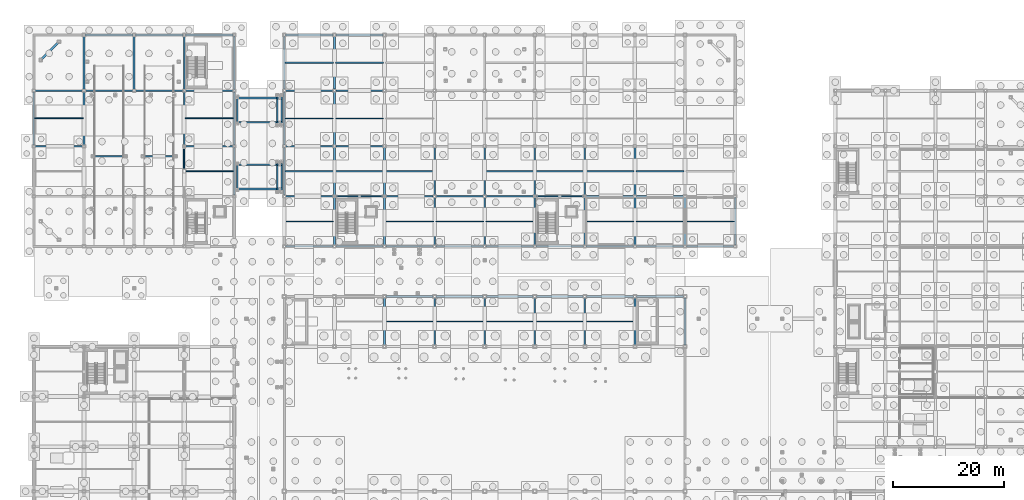
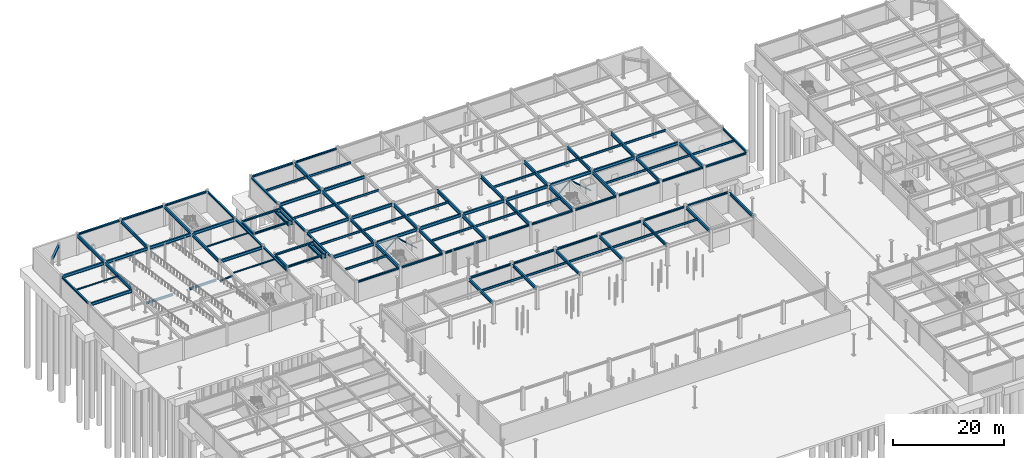
# One storey, part 41 of 74: 118 beams, 5 members.
"""IFC4 building model written with IfcOpenShell, lengths in metres."""

import ifcopenshell
import ifcopenshell.guid

model = None  # the IFC model being written
_history = None  # IfcOwnerHistory: only IFC2X3 demands one
_inside = {}  # id of a spatial element -> (the spatial element, [elements in it])
_under = {}  # id of a project, library or spatial element -> (it, [spatial elements below it])
_declared = {}  # id of a project -> (the project, [libraries it declares])
_typed = {}  # id of a type object -> (the type object, [elements of that type])
_made_of = {}  # id of a material, layer set ... -> (it, [elements and type objects made of it])


def new_model(schema):
    """Start an empty IFC model of exactly this schema.

    Asked for "IFC4X3", IfcOpenShell would pick the latest addendum, in which some entities
    have other attributes; the version numbers below select the first issue.
    IFC2X3 requires an IfcOwnerHistory on every rooted entity: one is made here for all.
    """
    global model, _history
    if schema == "IFC4X3":
        model = ifcopenshell.file(schema_version=(4, 3, 0, 0))
    else:
        model = ifcopenshell.file(schema=schema)
    _inside.clear()
    _under.clear()
    _declared.clear()
    _typed.clear()
    _made_of.clear()
    _history = None
    if model.schema == "IFC2X3":
        org = make("IfcOrganization", Name="unknown")
        user = make(
            "IfcPersonAndOrganization",
            ThePerson=make("IfcPerson", FamilyName="unknown"),
            TheOrganization=org,
        )
        app = make(
            "IfcApplication",
            ApplicationDeveloper=org,
            Version="unknown",
            ApplicationFullName="unknown",
            ApplicationIdentifier="unknown",
        )
        _history = make(
            "IfcOwnerHistory",
            OwningUser=user,
            OwningApplication=app,
            ChangeAction="ADDED",
            CreationDate=0,
        )
    return model


def make(cls, **values):
    """One entity of the class cls with the attributes given. An attribute that is None is left unset."""
    return model.create_entity(
        cls, **{name: value for name, value in values.items() if value is not None}
    )


def rooted(cls, **values):
    """An entity with a GlobalId (a new one), such as an element, a storey or a relation."""
    return make(cls, GlobalId=ifcopenshell.guid.new(), OwnerHistory=_history, **values)


def si_unit(unit_type, name, prefix=None):
    """IfcSIUnit, for example si_unit("LENGTHUNIT", "METRE", prefix="MILLI")."""
    return make("IfcSIUnit", UnitType=unit_type, Prefix=prefix, Name=name)


def assignment(units):
    """IfcUnitAssignment: the units of a project."""
    return None if units is None else make("IfcUnitAssignment", Units=units)


def point(xyz):
    """IfcCartesianPoint."""
    return None if xyz is None else make("IfcCartesianPoint", Coordinates=xyz)


def direction(xyz):
    """IfcDirection."""
    return None if xyz is None else make("IfcDirection", DirectionRatios=xyz)


def frame(location, z_axis=None, x_axis=None):
    """IfcAxis2Placement3D, a coordinate frame: its origin and axes. An axis left out is left unset."""
    return make(
        "IfcAxis2Placement3D",
        Location=point(location),
        Axis=direction(z_axis),
        RefDirection=direction(x_axis),
    )


def frame_2d(location, x_axis=None):
    """IfcAxis2Placement2D, a coordinate frame in the plane: its origin and x axis."""
    return make(
        "IfcAxis2Placement2D", Location=point(location), RefDirection=direction(x_axis)
    )


def origin():
    """The frame at (0, 0, 0) with its axes left unset."""
    return frame((0.0, 0.0, 0.0))


def origin_2d():
    """The frame at (0, 0) in the plane with its x axis left unset."""
    return frame_2d((0.0, 0.0))


def place(relative_to, where):
    """IfcLocalPlacement: puts the frame where relative to a parent placement (None: the world)."""
    return make(
        "IfcLocalPlacement", PlacementRelTo=relative_to, RelativePlacement=where
    )


def context(
    kind, dimensions, precision=None, world=None, true_north=None, identifier=None
):
    """IfcGeometricRepresentationContext, for example the 3D "Model" context."""
    return make(
        "IfcGeometricRepresentationContext",
        ContextIdentifier=identifier,
        ContextType=kind,
        CoordinateSpaceDimension=dimensions,
        Precision=precision,
        WorldCoordinateSystem=world,
        TrueNorth=true_north,
    )


def subcontext(parent, identifier, kind, view, scale=None):
    """IfcGeometricRepresentationSubContext, for example "Body" below "Model"."""
    return make(
        "IfcGeometricRepresentationSubContext",
        ContextIdentifier=identifier,
        ContextType=kind,
        ParentContext=parent,
        TargetScale=scale,
        TargetView=view,
    )


def project(units=None, contexts=None):
    """IfcProject with its units and contexts."""
    return rooted(
        "IfcProject",
        Name="project",
        RepresentationContexts=contexts,
        UnitsInContext=assignment(units),
    )


def spatial(cls, under=None, at=None, **own):
    """A site, building, storey or space (cls), placed at a placement, below another one or the project."""
    s = rooted(cls, ObjectPlacement=at, **own)
    if under is not None:
        _under.setdefault(under.id(), (under, []))[1].append(s)
    return s


def profile(cls, at=None, kind="AREA", **sizes):
    """A parametric profile (cls). Its sizes go by their IFC names, for example OverallWidth=200.0."""
    return make(cls, ProfileType=kind, Position=at, **sizes)


def hollow_circle(**sizes):
    """IfcCircleHollowProfileDef."""
    return profile("IfcCircleHollowProfileDef", **sizes)


def i_section(**sizes):
    """IfcIShapeProfileDef."""
    return profile("IfcIShapeProfileDef", **sizes)


def extrude(swept, where, along, depth):
    """IfcExtrudedAreaSolid: the profile swept, set in the frame where, extruded along a direction by depth."""
    return make(
        "IfcExtrudedAreaSolid",
        SweptArea=swept,
        Position=where,
        ExtrudedDirection=direction(along),
        Depth=depth,
    )


def shape(context_of_items, identifier, shape_type, items):
    """IfcShapeRepresentation: the items that make up one representation, for example the "Body"."""
    return make(
        "IfcShapeRepresentation",
        ContextOfItems=context_of_items,
        RepresentationIdentifier=identifier,
        RepresentationType=shape_type,
        Items=items,
    )


def material(Name=None, Category=None):
    """IfcMaterial."""
    return make("IfcMaterial", Name=Name, Category=Category)


def material_profile(
    of_material, cross_section, Name=None, Category=None, Priority=None
):
    """IfcMaterialProfile: a cross section and its material."""
    return make(
        "IfcMaterialProfile",
        Name=Name,
        Material=of_material,
        Profile=cross_section,
        Priority=Priority,
        Category=Category,
    )


def profile_set(profiles, Name=None, composite=None):
    """IfcMaterialProfileSet."""
    return make(
        "IfcMaterialProfileSet",
        Name=Name,
        MaterialProfiles=profiles,
        CompositeProfile=composite,
    )


def made_of(thing, what):
    """Note that an element or type object is made of a material, layer set ...; save() writes the relation."""
    if what is not None:
        _made_of.setdefault(what.id(), (what, []))[1].append(thing)
    return thing


def type_object(cls, material=None, **own):
    """A type object (cls), such as IfcWallType, which elements share."""
    return made_of(rooted(cls, **own), material)


def element(
    cls,
    number,
    at=None,
    inside=None,
    cuts=None,
    type_object=None,
    material=None,
    context=None,
    identifier="Body",
    shape_type=None,
    held_by="IfcProductDefinitionShape",
    body=None,
    shapes=None,
    **own,
):
    """One element of the class cls, such as IfcWall. Its Tag is "e" and its number.

    at: its placement. inside: the storey or other place that contains it. cuts: it is an
    opening in that element (IfcRelVoidsElement). A single representation is given by context,
    identifier, shape_type and body (its items); several are given by shapes. held_by: the class
    of the entity that holds the representations. save() writes the other relations.
    """
    e = rooted(cls, Tag="e%d" % number, ObjectPlacement=at, **own)
    if body is not None:
        shapes = [shape(context, identifier, shape_type, body)]
    if shapes is not None:
        e.Representation = make(held_by, Representations=shapes)
    if inside is not None:
        _inside.setdefault(inside.id(), (inside, []))[1].append(e)
    if cuts is not None:
        rooted(
            "IfcRelVoidsElement", RelatingBuildingElement=cuts, RelatedOpeningElement=e
        )
    if type_object is not None:
        _typed.setdefault(type_object.id(), (type_object, []))[1].append(e)
    return made_of(e, material)


def aggregate(whole, parts):
    """IfcRelAggregates: a whole, such as a stair, and the parts it consists of."""
    return rooted("IfcRelAggregates", RelatingObject=whole, RelatedObjects=parts)


def save(model, path):
    """Write the relations noted so far, then the file.

    IfcRelAggregates (storeys below a building ...), IfcRelContainedInSpatialStructure (elements
    in a storey), IfcRelDefinesByType, IfcRelAssociatesMaterial and IfcRelDeclares: one each for
    every whole, place, type object, material and project.
    """
    for whole, parts in _under.values():
        aggregate(whole, parts)
    for where, things in _inside.values():
        rooted(
            "IfcRelContainedInSpatialStructure",
            RelatedElements=things,
            RelatingStructure=where,
        )
    for kind, things in _typed.values():
        rooted("IfcRelDefinesByType", RelatedObjects=things, RelatingType=kind)
    for what, things in _made_of.values():
        rooted("IfcRelAssociatesMaterial", RelatedObjects=things, RelatingMaterial=what)
    for by, libraries in _declared.values():
        rooted("IfcRelDeclares", RelatingContext=by, RelatedDefinitions=libraries)
    model.write(path)


model = new_model("IFC4")

# Units and contexts
model_context = context("Model", 3, precision=1e-05, world=origin(), true_north=direction((0.0, 1.0)))
body_context = subcontext(model_context, "Body", "Model", "MODEL_VIEW")
ifc_project = project(units=[si_unit("LENGTHUNIT", "METRE"), si_unit("AREAUNIT", "SQUARE_METRE"), si_unit("VOLUMEUNIT", "CUBIC_METRE"), si_unit("PLANEANGLEUNIT", "RADIAN"), si_unit("MASSUNIT", "GRAM", prefix="KILO")], contexts=[model_context])

# Site, building, storey
site_placement = place(None, origin())
site = spatial("IfcSite", under=ifc_project, at=site_placement, CompositionType="ELEMENT")
building_placement = place(site_placement, origin())
building = spatial("IfcBuilding", under=site, at=building_placement, Name="Suzunagisa Mobility Hub", CompositionType="ELEMENT")
storey_placement = place(building_placement, frame((0.0, 0.0, -4.800048828125)))
storey = spatial("IfcBuildingStorey", under=building, at=storey_placement, Name="B1", CompositionType="ELEMENT", Elevation=-4.800048828125)

# Members
ifc_material_1 = material(Name="Steel SN490B", Category="steel")
ifc_material_profile_1 = material_profile(ifc_material_1, hollow_circle(Radius=0.177734375, WallThickness=0.0126953125, at=origin_2d()), Name="CHS-355.6x12.7")
ifc_profile_set_1 = profile_set([ifc_material_profile_1], Name="Steel SN490B")
member_type_1 = type_object("IfcMemberType", Name="Roof Truss and Brace Member MB-03 CHS-355.6x12.7", PredefinedType="BRACE", material=ifc_profile_set_1)
member_placement = place(storey_placement, frame((27.0, 97.7548828125, 0.1201171875), z_axis=(0.0, -0.755823574775, 0.654775323156), x_axis=(1.0, 0.0, 0.0)))
element("IfcMember", 1, at=member_placement, inside=storey, type_object=member_type_1, Name="B1 Concentric Lateral Brace BR-18", PredefinedType="BRACE", context=body_context, shape_type="SweptSolid", body=[
    extrude(hollow_circle(Radius=0.177734375, WallThickness=0.0126953125, at=origin_2d()), origin(), (0.0, 0.0, 1.0), 5.62939453125),
])
ifc_material_profile_2 = material_profile(ifc_material_1, hollow_circle(Radius=0.1337890625, WallThickness=0.00927734375, at=origin_2d()), Name="CHS-267.4x9.3")
ifc_profile_set_2 = profile_set([ifc_material_profile_2], Name="Steel SN490B")
member_type_2 = type_object("IfcMemberType", Name="Roof Truss and Brace Member MB-06 CHS-267.4x9.3", PredefinedType="BRACE", material=ifc_profile_set_2)
for number, where, z_axis, x_axis, name in (
    (2, (54.27001953125, 89.0, 0.1201171875), (0.749529733096, 0.0, 0.661970678508), (0.0, 1.0, 0.0), "B1 Concentric Lateral Brace BR-27"),
    (3, (62.72998046875, 89.0, 0.1201171875), (-0.749529733096, 0.0, 0.661970678508), (0.0, -1.0, 0.0), "B1 Concentric Lateral Brace BR-28"),
    (4, (90.27001953125, 89.0, 0.1201171875), (0.749529733096, 0.0, 0.661970678508), (0.0, 1.0, 0.0), "B1 Concentric Lateral Brace BR-39"),
    (5, (98.72998046875, 89.0, 0.1201171875), (-0.749529733096, 0.0, 0.661970678508), (0.0, -1.0, 0.0), "B1 Concentric Lateral Brace BR-40"),
):
    element("IfcMember", number, at=place(storey_placement, frame(where, z_axis=z_axis, x_axis=x_axis)), inside=storey, type_object=member_type_2, Name=name, PredefinedType="BRACE", context=body_context, shape_type="SweptSolid", body=[
        extrude(hollow_circle(Radius=0.1337890625, WallThickness=0.00927734375, at=origin_2d()), origin(), (0.0, 0.0, 1.0), 5.6435546875),
    ])

# Beams
ifc_material_2 = material(Name="Steel SN400B", Category="steel")
ifc_material_profile_3 = material_profile(ifc_material_2, i_section(OverallWidth=0.199951171875, OverallDepth=0.449951171875, WebThickness=0.009033203125, FlangeThickness=0.013916015625, FilletRadius=0.012939453125, at=origin_2d()), Name="H-450x200x9x14")
ifc_profile_set_3 = profile_set([ifc_material_profile_3], Name="Steel SN400B")
beam_type_1 = type_object("IfcBeamType", Name="Steel Beam BM-05 H-450x200x9x14", PredefinedType="JOIST", material=ifc_profile_set_3)
for number, where, z_axis, x_axis, name in (
    (6, (63.14990234375, 66.5, 4.295166015625), (1.0, 0.0, 0.0), (0.0, 1.0, 0.0), "B1 Composite Floor Joist J-383"),
    (7, (72.14990234375, 66.5, 4.295166015625), (1.0, 0.0, 0.0), (0.0, 1.0, 0.0), "B1 Composite Floor Joist J-384"),
    (8, (81.14990234375, 66.5, 4.295166015625), (1.0, 0.0, 0.0), (0.0, 1.0, 0.0), "B1 Composite Floor Joist J-385"),
    (9, (90.14990234375, 66.5, 4.295166015625), (1.0, 0.0, 0.0), (0.0, 1.0, 0.0), "B1 Composite Floor Joist J-386"),
    (10, (99.14990234375, 66.5, 4.295166015625), (1.0, 0.0, 0.0), (0.0, 1.0, 0.0), "B1 Composite Floor Joist J-387"),
    (11, (45.14990234375, 84.5, 4.295166015625), (1.0, 0.0, 0.0), (0.0, 1.0, 0.0), "B1 Composite Floor Joist J-672"),
    (12, (45.14990234375, 93.5, 4.295166015625), (1.0, 0.0, 0.0), (0.0, 1.0, 0.0), "B1 Composite Floor Joist J-673"),
    (13, (45.14990234375, 103.0, 4.295166015625), (1.0, 0.0, 0.0), (0.0, 1.0, 0.0), "B1 Composite Floor Joist J-674"),
    (14, (45.14990234375, 113.0, 4.295166015625), (1.0, 0.0, 0.0), (0.0, 1.0, 0.0), "B1 Composite Floor Joist J-675"),
    (15, (54.14990234375, 93.5, 4.295166015625), (1.0, 0.0, 0.0), (0.0, 1.0, 0.0), "B1 Composite Floor Joist J-676"),
    (16, (54.14990234375, 103.0, 4.295166015625), (1.0, 0.0, 0.0), (0.0, 1.0, 0.0), "B1 Composite Floor Joist J-677"),
    (17, (54.14990234375, 113.0, 4.295166015625), (1.0, 0.0, 0.0), (0.0, 1.0, 0.0), "B1 Composite Floor Joist J-678"),
    (18, (63.14990234375, 84.5, 4.295166015625), (1.0, 0.0, 0.0), (0.0, 1.0, 0.0), "B1 Composite Floor Joist J-679"),
    (19, (63.14990234375, 93.5, 4.295166015625), (1.0, 0.0, 0.0), (0.0, 1.0, 0.0), "B1 Composite Floor Joist J-680"),
    (20, (72.14990234375, 84.5, 4.295166015625), (1.0, 0.0, 0.0), (0.0, 1.0, 0.0), "B1 Composite Floor Joist J-683"),
    (21, (81.14990234375, 84.5, 4.295166015625), (1.0, 0.0, 0.0), (0.0, 1.0, 0.0), "B1 Composite Floor Joist J-684"),
    (22, (81.14990234375, 93.5, 4.295166015625), (1.0, 0.0, 0.0), (0.0, 1.0, 0.0), "B1 Composite Floor Joist J-685"),
    (23, (90.14990234375, 93.5, 4.295166015625), (1.0, 0.0, 0.0), (0.0, 1.0, 0.0), "B1 Composite Floor Joist J-688"),
    (24, (99.14990234375, 84.5, 4.295166015625), (1.0, 0.0, 0.0), (0.0, 1.0, 0.0), "B1 Composite Floor Joist J-691"),
    (25, (99.14990234375, 93.5, 4.295166015625), (1.0, 0.0, 0.0), (0.0, 1.0, 0.0), "B1 Composite Floor Joist J-692"),
    (26, (108.14990234375, 84.5, 4.295166015625), (1.0, 0.0, 0.0), (0.0, 1.0, 0.0), "B1 Composite Floor Joist J-695"),
    (27, (108.14990234375, 93.5, 4.295166015625), (1.0, 0.0, 0.0), (0.0, 1.0, 0.0), "B1 Composite Floor Joist J-696"),
    (28, (117.14990234375, 84.5, 4.295166015625), (1.0, 0.0, 0.0), (0.0, 1.0, 0.0), "B1 Composite Floor Joist J-699"),
):
    element("IfcBeam", number, at=place(storey_placement, frame(where, z_axis=z_axis, x_axis=x_axis)), inside=storey, type_object=beam_type_1, Name=name, PredefinedType="JOIST", context=body_context, shape_type="SweptSolid", body=[
        extrude(i_section(OverallWidth=0.199951171875, OverallDepth=0.449951171875, WebThickness=0.009033203125, FlangeThickness=0.013916015625, FilletRadius=0.012939453125, at=origin_2d()), origin(), (0.0, 0.0, 1.0), 8.7001953125),
    ])
ifc_material_profile_4 = material_profile(ifc_material_1, i_section(OverallWidth=0.300048828125, OverallDepth=0.488037109375, WebThickness=0.010986328125, FlangeThickness=0.01806640625, FilletRadius=0.012939453125, at=origin_2d()), Name="H-488x300x11x18")
ifc_profile_set_4 = profile_set([ifc_material_profile_4], Name="Steel SN490B")
beam_type_2 = type_object("IfcBeamType", Name="Steel Beam BM-06 H-488x300x11x18", PredefinedType="BEAM", material=ifc_profile_set_4)
beam_1_placement = place(storey_placement, frame((36.550048828125, 90.31005859375, 4.296142578125), z_axis=(0.0, 1.0, 0.0), x_axis=(-1.0, 0.0, 0.0)))
element("IfcBeam", 29, at=beam_1_placement, inside=storey, type_object=beam_type_2, Name="L00 Skybridge Fixed Crosshead VRL-L00-S", PredefinedType="BEAM", context=body_context, shape_type="SweptSolid", body=[
    extrude(i_section(OverallWidth=0.300048828125, OverallDepth=0.488037109375, WebThickness=0.010986328125, FlangeThickness=0.01806640625, FilletRadius=0.012939453125, at=origin_2d()), origin(), (0.0, 0.0, 1.0), 4.3798828125),
])
for number, where, z_axis, x_axis, name in (
    (30, (43.699951171875, 89.97998046875, 3.906005859375), (0.0, 1.0, 0.0), (-1.0, 0.0, 0.0), "L00 Skybridge Seat Crosshead VRL-L00-S-W"),
    (31, (44.530029296875, 89.97998046875, 3.906005859375), (0.0, 1.0, 0.0), (-1.0, 0.0, 0.0), "L00 Skybridge Seat Crosshead VRL-L00-S-E"),
):
    element("IfcBeam", number, at=place(storey_placement, frame(where, z_axis=z_axis, x_axis=x_axis)), inside=storey, type_object=beam_type_2, Name=name, PredefinedType="BEAM", context=body_context, shape_type="SweptSolid", body=[
        extrude(i_section(OverallWidth=0.300048828125, OverallDepth=0.488037109375, WebThickness=0.010986328125, FlangeThickness=0.01806640625, FilletRadius=0.012939453125, at=origin_2d()), origin(), (0.0, 0.0, 1.0), 5.0400390625),
    ])
for number, where, z_axis, x_axis, name in (
    (32, (43.699951171875, 90.320068359375, 3.906005859375), (1.0, 0.0, 0.0), (0.0, 1.0, 0.0), "L00 Skybridge 950mm Bearing Seat VRL-L00-S-A"),
    (33, (43.699951171875, 94.679931640625, 3.906005859375), (1.0, 0.0, 0.0), (0.0, 1.0, 0.0), "L00 Skybridge 950mm Bearing Seat VRL-L00-S-B"),
):
    element("IfcBeam", number, at=place(storey_placement, frame(where, z_axis=z_axis, x_axis=x_axis)), inside=storey, type_object=beam_type_2, Name=name, PredefinedType="BEAM", context=body_context, shape_type="SweptSolid", body=[
        extrude(i_section(OverallWidth=0.300048828125, OverallDepth=0.488037109375, WebThickness=0.010986328125, FlangeThickness=0.01806640625, FilletRadius=0.012939453125, at=origin_2d()), origin(), (0.0, 0.0, 1.0), 0.949951171875),
    ])
beam_2_placement = place(storey_placement, frame((36.550048828125, 102.31005859375, 4.296142578125), z_axis=(0.0, 1.0, 0.0), x_axis=(-1.0, 0.0, 0.0)))
element("IfcBeam", 34, at=beam_2_placement, inside=storey, type_object=beam_type_2, Name="L00 Skybridge Fixed Crosshead VRL-L00-N", PredefinedType="BEAM", context=body_context, shape_type="SweptSolid", body=[
    extrude(i_section(OverallWidth=0.300048828125, OverallDepth=0.488037109375, WebThickness=0.010986328125, FlangeThickness=0.01806640625, FilletRadius=0.012939453125, at=origin_2d()), origin(), (0.0, 0.0, 1.0), 4.3798828125),
])
for number, where, z_axis, x_axis, name in (
    (35, (43.699951171875, 101.97998046875, 3.906005859375), (0.0, 1.0, 0.0), (-1.0, 0.0, 0.0), "L00 Skybridge Seat Crosshead VRL-L00-N-W"),
    (36, (44.530029296875, 101.97998046875, 3.906005859375), (0.0, 1.0, 0.0), (-1.0, 0.0, 0.0), "L00 Skybridge Seat Crosshead VRL-L00-N-E"),
):
    element("IfcBeam", number, at=place(storey_placement, frame(where, z_axis=z_axis, x_axis=x_axis)), inside=storey, type_object=beam_type_2, Name=name, PredefinedType="BEAM", context=body_context, shape_type="SweptSolid", body=[
        extrude(i_section(OverallWidth=0.300048828125, OverallDepth=0.488037109375, WebThickness=0.010986328125, FlangeThickness=0.01806640625, FilletRadius=0.012939453125, at=origin_2d()), origin(), (0.0, 0.0, 1.0), 5.0400390625),
    ])
for number, where, z_axis, x_axis, name in (
    (37, (43.699951171875, 102.320068359375, 3.906005859375), (1.0, 0.0, 0.0), (0.0, 1.0, 0.0), "L00 Skybridge 950mm Bearing Seat VRL-L00-N-A"),
    (38, (43.699951171875, 106.679931640625, 3.906005859375), (1.0, 0.0, 0.0), (0.0, 1.0, 0.0), "L00 Skybridge 950mm Bearing Seat VRL-L00-N-B"),
):
    element("IfcBeam", number, at=place(storey_placement, frame(where, z_axis=z_axis, x_axis=x_axis)), inside=storey, type_object=beam_type_2, Name=name, PredefinedType="BEAM", context=body_context, shape_type="SweptSolid", body=[
        extrude(i_section(OverallWidth=0.300048828125, OverallDepth=0.488037109375, WebThickness=0.010986328125, FlangeThickness=0.01806640625, FilletRadius=0.012939453125, at=origin_2d()), origin(), (0.0, 0.0, 1.0), 0.949951171875),
    ])
for number, where, z_axis, x_axis, name in (
    (39, (10.72998046875, 96.199951171875, 1.89599609375), (1.0, 0.0, 0.0), (0.0, 1.0, 0.0), "B1 Vehicle Ramp Mid-Span Support Girder VR-01"),
    (40, (19.72998046875, 96.199951171875, 1.89599609375), (1.0, 0.0, 0.0), (0.0, 1.0, 0.0), "B1 Vehicle Ramp Mid-Span Support Girder VR-02"),
):
    element("IfcBeam", number, at=place(storey_placement, frame(where, z_axis=z_axis, x_axis=x_axis)), inside=storey, type_object=beam_type_2, Name=name, PredefinedType="BEAM", context=body_context, shape_type="SweptSolid", body=[
        extrude(i_section(OverallWidth=0.300048828125, OverallDepth=0.488037109375, WebThickness=0.010986328125, FlangeThickness=0.01806640625, FilletRadius=0.012939453125, at=origin_2d()), origin(), (0.0, 0.0, 1.0), 5.5400390625),
    ])
ifc_material_profile_5 = material_profile(ifc_material_1, i_section(OverallWidth=0.300048828125, OverallDepth=0.64990234375, WebThickness=0.012939453125, FlangeThickness=0.02197265625, FilletRadius=0.01611328125, at=origin_2d()), Name="H-650x300x13x22")
ifc_profile_set_5 = profile_set([ifc_material_profile_5], Name="Steel SN490B")
beam_type_3 = type_object("IfcBeamType", Name="Steel Beam BM-10 H-650x300x13x22", PredefinedType="BEAM", material=ifc_profile_set_5)
for number, where, z_axis, x_axis, name in (
    (41, (63.0, 62.24609375, 4.195068359375), (0.0, 1.0, 0.0), (-1.0, 0.0, 0.0), "B1 Primary Girder GY-375"),
    (42, (72.0, 62.24609375, 4.195068359375), (0.0, 1.0, 0.0), (-1.0, 0.0, 0.0), "B1 Primary Girder GY-376"),
    (43, (81.0, 62.24609375, 4.195068359375), (0.0, 1.0, 0.0), (-1.0, 0.0, 0.0), "B1 Primary Girder GY-377"),
    (44, (90.0, 62.24609375, 4.195068359375), (0.0, 1.0, 0.0), (-1.0, 0.0, 0.0), "B1 Primary Girder GY-378"),
    (45, (99.0, 62.24609375, 4.195068359375), (0.0, 1.0, 0.0), (-1.0, 0.0, 0.0), "B1 Primary Girder GY-379"),
    (46, (108.0, 62.24609375, 4.195068359375), (0.0, 1.0, 0.0), (-1.0, 0.0, 0.0), "B1 Primary Girder GY-380"),
    (47, (117.0, 62.24609375, 4.195068359375), (0.0, 1.0, 0.0), (-1.0, 0.0, 0.0), "B1 Primary Girder GY-381"),
):
    element("IfcBeam", number, at=place(storey_placement, frame(where, z_axis=z_axis, x_axis=x_axis)), inside=storey, type_object=beam_type_3, Name=name, PredefinedType="BEAM", context=body_context, shape_type="SweptSolid", body=[
        extrude(i_section(OverallWidth=0.300048828125, OverallDepth=0.64990234375, WebThickness=0.012939453125, FlangeThickness=0.02197265625, FilletRadius=0.01611328125, at=origin_2d()), origin(), (0.0, 0.0, 1.0), 8.4580078125),
    ])
for number, where, z_axis, x_axis, name in (
    (48, (0.220947265625, 98.0, 4.195068359375), (1.0, 0.0, 0.0), (0.0, 1.0, 0.0), "B1 Primary Girder GX-420"),
    (49, (27.220947265625, 98.0, 4.195068359375), (1.0, 0.0, 0.0), (0.0, 1.0, 0.0), "B1 Primary Girder GX-421"),
    (50, (0.220947265625, 108.0, 4.195068359375), (1.0, 0.0, 0.0), (0.0, 1.0, 0.0), "B1 Primary Girder GX-422"),
    (51, (9.220947265625, 108.0, 4.195068359375), (1.0, 0.0, 0.0), (0.0, 1.0, 0.0), "B1 Primary Girder GX-423"),
    (52, (18.220947265625, 108.0, 4.195068359375), (1.0, 0.0, 0.0), (0.0, 1.0, 0.0), "B1 Primary Girder GX-424"),
    (53, (27.220947265625, 108.0, 4.195068359375), (1.0, 0.0, 0.0), (0.0, 1.0, 0.0), "B1 Primary Girder GX-425"),
):
    element("IfcBeam", number, at=place(storey_placement, frame(where, z_axis=z_axis, x_axis=x_axis)), inside=storey, type_object=beam_type_3, Name=name, PredefinedType="BEAM", context=body_context, shape_type="SweptSolid", body=[
        extrude(i_section(OverallWidth=0.300048828125, OverallDepth=0.64990234375, WebThickness=0.012939453125, FlangeThickness=0.02197265625, FilletRadius=0.01611328125, at=origin_2d()), origin(), (0.0, 0.0, 1.0), 8.55810546875),
    ])
for number, where, z_axis, x_axis, name in (
    (54, (45.24609375, 89.0, 4.195068359375), (1.0, 0.0, 0.0), (0.0, 1.0, 0.0), "B1 Primary Girder GX-597"),
    (55, (54.24609375, 89.0, 4.195068359375), (1.0, 0.0, 0.0), (0.0, 1.0, 0.0), "B1 Primary Girder GX-598"),
    (56, (63.24609375, 89.0, 4.195068359375), (1.0, 0.0, 0.0), (0.0, 1.0, 0.0), "B1 Primary Girder GX-599"),
    (57, (72.24609375, 89.0, 4.195068359375), (1.0, 0.0, 0.0), (0.0, 1.0, 0.0), "B1 Primary Girder GX-600"),
    (58, (81.24609375, 89.0, 4.195068359375), (1.0, 0.0, 0.0), (0.0, 1.0, 0.0), "B1 Primary Girder GX-601"),
    (59, (90.24609375, 89.0, 4.195068359375), (1.0, 0.0, 0.0), (0.0, 1.0, 0.0), "B1 Primary Girder GX-602"),
    (60, (99.24609375, 89.0, 4.195068359375), (1.0, 0.0, 0.0), (0.0, 1.0, 0.0), "B1 Primary Girder GX-603"),
    (61, (108.24609375, 89.0, 4.195068359375), (1.0, 0.0, 0.0), (0.0, 1.0, 0.0), "B1 Primary Girder GX-604"),
    (62, (45.24609375, 98.0, 4.195068359375), (1.0, 0.0, 0.0), (0.0, 1.0, 0.0), "B1 Primary Girder GX-606"),
    (63, (54.24609375, 98.0, 4.195068359375), (1.0, 0.0, 0.0), (0.0, 1.0, 0.0), "B1 Primary Girder GX-607"),
    (64, (45.24609375, 108.0, 4.195068359375), (1.0, 0.0, 0.0), (0.0, 1.0, 0.0), "B1 Primary Girder GX-615"),
    (65, (54.24609375, 108.0, 4.195068359375), (1.0, 0.0, 0.0), (0.0, 1.0, 0.0), "B1 Primary Girder GX-616"),
):
    element("IfcBeam", number, at=place(storey_placement, frame(where, z_axis=z_axis, x_axis=x_axis)), inside=storey, type_object=beam_type_3, Name=name, PredefinedType="BEAM", context=body_context, shape_type="SweptSolid", body=[
        extrude(i_section(OverallWidth=0.300048828125, OverallDepth=0.64990234375, WebThickness=0.012939453125, FlangeThickness=0.02197265625, FilletRadius=0.01611328125, at=origin_2d()), origin(), (0.0, 0.0, 1.0), 8.5078125),
    ])
ifc_material_profile_6 = material_profile(ifc_material_1, i_section(OverallWidth=0.300048828125, OverallDepth=0.699951171875, WebThickness=0.012939453125, FlangeThickness=0.02392578125, FilletRadius=0.01806640625, at=origin_2d()), Name="H-700x300x13x24")
ifc_profile_set_6 = profile_set([ifc_material_profile_6], Name="Steel SN490B")
beam_type_4 = type_object("IfcBeamType", Name="Steel Beam BM-11 H-700x300x13x24", PredefinedType="BEAM", material=ifc_profile_set_6)
for number, where, z_axis, x_axis, name in (
    (66, (9.0, 98.220947265625, 4.170166015625), (0.0, 1.0, 0.0), (-1.0, 0.0, 0.0), "B1 Primary Girder GY-433"),
    (67, (9.0, 108.220947265625, 4.170166015625), (0.0, 1.0, 0.0), (-1.0, 0.0, 0.0), "B1 Primary Girder GY-434"),
    (68, (18.0, 108.220947265625, 4.170166015625), (0.0, 1.0, 0.0), (-1.0, 0.0, 0.0), "B1 Primary Girder GY-436"),
    (69, (27.0, 98.220947265625, 4.170166015625), (0.0, 1.0, 0.0), (-1.0, 0.0, 0.0), "B1 Primary Girder GY-439"),
    (70, (27.0, 108.220947265625, 4.170166015625), (0.0, 1.0, 0.0), (-1.0, 0.0, 0.0), "B1 Primary Girder GY-440"),
):
    element("IfcBeam", number, at=place(storey_placement, frame(where, z_axis=z_axis, x_axis=x_axis)), inside=storey, type_object=beam_type_4, Name=name, PredefinedType="BEAM", context=body_context, shape_type="SweptSolid", body=[
        extrude(i_section(OverallWidth=0.300048828125, OverallDepth=0.699951171875, WebThickness=0.012939453125, FlangeThickness=0.02392578125, FilletRadius=0.01806640625, at=origin_2d()), origin(), (0.0, 0.0, 1.0), 9.55810546875),
    ])
ifc_material_profile_7 = material_profile(ifc_material_1, i_section(OverallWidth=0.39990234375, OverallDepth=0.39990234375, WebThickness=0.012939453125, FlangeThickness=0.02099609375, FilletRadius=0.01611328125, at=origin_2d()), Name="H-400x400x13x21")
ifc_profile_set_7 = profile_set([ifc_material_profile_7], Name="Steel SN490B")
beam_type_5 = type_object("IfcBeamType", Name="Steel Beam BM-12 H-400x400x13x21", PredefinedType="SPANDREL", material=ifc_profile_set_7)
beam_3_placement = place(storey_placement, frame((4.33837890625, 116.632568359375, 4.320068359375), z_axis=(-0.707106781187, -0.707106781187, 0.0), x_axis=(0.707106781187, -0.707106781187, 0.0)))
element("IfcBeam", 71, at=beam_3_placement, inside=storey, type_object=beam_type_5, Name="B1 Streamline Prow Spandrel 446", PredefinedType="SPANDREL", context=body_context, shape_type="SweptSolid", body=[
    extrude(i_section(OverallWidth=0.39990234375, OverallDepth=0.39990234375, WebThickness=0.012939453125, FlangeThickness=0.02099609375, FilletRadius=0.01611328125, at=origin_2d()), origin(), (0.0, 0.0, 1.0), 4.20166015625),
])
ifc_material_profile_8 = material_profile(ifc_material_1, i_section(OverallWidth=0.300048828125, OverallDepth=0.389892578125, WebThickness=0.010009765625, FlangeThickness=0.01611328125, FilletRadius=0.012939453125, at=origin_2d()), Name="H-390x300x10x16")
ifc_profile_set_8 = profile_set([ifc_material_profile_8], Name="Steel SN490B")
beam_type_6 = type_object("IfcBeamType", Name="Steel Beam BM-13 H-390x300x10x16", PredefinedType="SPANDREL", material=ifc_profile_set_8)
for number, where, z_axis, x_axis, name in (
    (72, (63.2958984375, 71.0, 4.324951171875), (1.0, 0.0, 0.0), (0.0, 1.0, 0.0), "B1 Primary Girder GX-367"),
    (73, (72.2958984375, 71.0, 4.324951171875), (1.0, 0.0, 0.0), (0.0, 1.0, 0.0), "B1 Primary Girder GX-368"),
    (74, (81.2958984375, 71.0, 4.324951171875), (1.0, 0.0, 0.0), (0.0, 1.0, 0.0), "B1 Primary Girder GX-369"),
    (75, (90.2958984375, 71.0, 4.324951171875), (1.0, 0.0, 0.0), (0.0, 1.0, 0.0), "B1 Primary Girder GX-370"),
    (76, (99.2958984375, 71.0, 4.324951171875), (1.0, 0.0, 0.0), (0.0, 1.0, 0.0), "B1 Primary Girder GX-371"),
    (77, (108.2958984375, 71.0, 4.324951171875), (1.0, 0.0, 0.0), (0.0, 1.0, 0.0), "B1 Primary Girder GX-372"),
):
    element("IfcBeam", number, at=place(storey_placement, frame(where, z_axis=z_axis, x_axis=x_axis)), inside=storey, type_object=beam_type_6, Name=name, PredefinedType="SPANDREL", context=body_context, shape_type="SweptSolid", body=[
        extrude(i_section(OverallWidth=0.300048828125, OverallDepth=0.389892578125, WebThickness=0.010009765625, FlangeThickness=0.01611328125, FilletRadius=0.012939453125, at=origin_2d()), origin(), (0.0, 0.0, 1.0), 8.408203125),
    ])
for number, where, z_axis, x_axis, name in (
    (78, (9.220947265625, 118.0, 4.324951171875), (1.0, 0.0, 0.0), (0.0, 1.0, 0.0), "B1 Primary Girder GX-426"),
    (79, (18.220947265625, 118.0, 4.324951171875), (1.0, 0.0, 0.0), (0.0, 1.0, 0.0), "B1 Primary Girder GX-427"),
    (80, (27.220947265625, 118.0, 4.324951171875), (1.0, 0.0, 0.0), (0.0, 1.0, 0.0), "B1 Primary Girder GX-428"),
):
    element("IfcBeam", number, at=place(storey_placement, frame(where, z_axis=z_axis, x_axis=x_axis)), inside=storey, type_object=beam_type_6, Name=name, PredefinedType="SPANDREL", context=body_context, shape_type="SweptSolid", body=[
        extrude(i_section(OverallWidth=0.300048828125, OverallDepth=0.389892578125, WebThickness=0.010009765625, FlangeThickness=0.01611328125, FilletRadius=0.012939453125, at=origin_2d()), origin(), (0.0, 0.0, 1.0), 8.55810546875),
    ])
beam_4_placement = place(storey_placement, frame((0.0, 98.220947265625, 4.324951171875), z_axis=(0.0, 1.0, 0.0), x_axis=(-1.0, 0.0, 0.0)))
element("IfcBeam", 81, at=beam_4_placement, inside=storey, type_object=beam_type_6, Name="B1 Primary Girder GY-430", PredefinedType="SPANDREL", context=body_context, shape_type="SweptSolid", body=[
    extrude(i_section(OverallWidth=0.300048828125, OverallDepth=0.389892578125, WebThickness=0.010009765625, FlangeThickness=0.01611328125, FilletRadius=0.012939453125, at=origin_2d()), origin(), (0.0, 0.0, 1.0), 9.55810546875),
])
beam_5_placement = place(storey_placement, frame((36.0, 89.220947265625, 4.324951171875), z_axis=(0.0, 1.0, 0.0), x_axis=(-1.0, 0.0, 0.0)))
element("IfcBeam", 82, at=beam_5_placement, inside=storey, type_object=beam_type_6, Name="B1 Primary Girder GY-442", PredefinedType="SPANDREL", context=body_context, shape_type="SweptSolid", body=[
    extrude(i_section(OverallWidth=0.300048828125, OverallDepth=0.389892578125, WebThickness=0.010009765625, FlangeThickness=0.01611328125, FilletRadius=0.012939453125, at=origin_2d()), origin(), (0.0, 0.0, 1.0), 8.55810546875),
])
for number, where, z_axis, x_axis, name in (
    (83, (36.0, 98.220947265625, 4.324951171875), (0.0, 1.0, 0.0), (-1.0, 0.0, 0.0), "B1 Primary Girder GY-443"),
    (84, (36.0, 108.220947265625, 4.324951171875), (0.0, 1.0, 0.0), (-1.0, 0.0, 0.0), "B1 Primary Girder GY-444"),
):
    element("IfcBeam", number, at=place(storey_placement, frame(where, z_axis=z_axis, x_axis=x_axis)), inside=storey, type_object=beam_type_6, Name=name, PredefinedType="SPANDREL", context=body_context, shape_type="SweptSolid", body=[
        extrude(i_section(OverallWidth=0.300048828125, OverallDepth=0.389892578125, WebThickness=0.010009765625, FlangeThickness=0.01611328125, FilletRadius=0.012939453125, at=origin_2d()), origin(), (0.0, 0.0, 1.0), 9.55810546875),
    ])
for number, where, z_axis, x_axis, name in (
    (85, (45.24609375, 80.0, 4.324951171875), (1.0, 0.0, 0.0), (0.0, 1.0, 0.0), "B1 Primary Girder GX-588"),
    (86, (54.24609375, 80.0, 4.324951171875), (1.0, 0.0, 0.0), (0.0, 1.0, 0.0), "B1 Primary Girder GX-589"),
    (87, (63.24609375, 80.0, 4.324951171875), (1.0, 0.0, 0.0), (0.0, 1.0, 0.0), "B1 Primary Girder GX-590"),
    (88, (72.24609375, 80.0, 4.324951171875), (1.0, 0.0, 0.0), (0.0, 1.0, 0.0), "B1 Primary Girder GX-591"),
    (89, (81.24609375, 80.0, 4.324951171875), (1.0, 0.0, 0.0), (0.0, 1.0, 0.0), "B1 Primary Girder GX-592"),
    (90, (90.24609375, 80.0, 4.324951171875), (1.0, 0.0, 0.0), (0.0, 1.0, 0.0), "B1 Primary Girder GX-593"),
    (91, (99.24609375, 80.0, 4.324951171875), (1.0, 0.0, 0.0), (0.0, 1.0, 0.0), "B1 Primary Girder GX-594"),
    (92, (108.24609375, 80.0, 4.324951171875), (1.0, 0.0, 0.0), (0.0, 1.0, 0.0), "B1 Primary Girder GX-595"),
    (93, (117.24609375, 80.0, 4.324951171875), (1.0, 0.0, 0.0), (0.0, 1.0, 0.0), "B1 Primary Girder GX-596"),
    (94, (45.24609375, 118.0, 4.324951171875), (1.0, 0.0, 0.0), (0.0, 1.0, 0.0), "B1 Primary Girder GX-624"),
    (95, (54.24609375, 118.0, 4.324951171875), (1.0, 0.0, 0.0), (0.0, 1.0, 0.0), "B1 Primary Girder GX-625"),
    (96, (45.0, 89.24609375, 4.324951171875), (0.0, 1.0, 0.0), (-1.0, 0.0, 0.0), "B1 Primary Girder GY-633"),
):
    element("IfcBeam", number, at=place(storey_placement, frame(where, z_axis=z_axis, x_axis=x_axis)), inside=storey, type_object=beam_type_6, Name=name, PredefinedType="SPANDREL", context=body_context, shape_type="SweptSolid", body=[
        extrude(i_section(OverallWidth=0.300048828125, OverallDepth=0.389892578125, WebThickness=0.010009765625, FlangeThickness=0.01611328125, FilletRadius=0.012939453125, at=origin_2d()), origin(), (0.0, 0.0, 1.0), 8.5078125),
    ])
for number, where, z_axis, x_axis, name in (
    (97, (45.0, 98.24609375, 4.324951171875), (0.0, 1.0, 0.0), (-1.0, 0.0, 0.0), "B1 Primary Girder GY-634"),
    (98, (45.0, 108.24609375, 4.324951171875), (0.0, 1.0, 0.0), (-1.0, 0.0, 0.0), "B1 Primary Girder GY-635"),
):
    element("IfcBeam", number, at=place(storey_placement, frame(where, z_axis=z_axis, x_axis=x_axis)), inside=storey, type_object=beam_type_6, Name=name, PredefinedType="SPANDREL", context=body_context, shape_type="SweptSolid", body=[
        extrude(i_section(OverallWidth=0.300048828125, OverallDepth=0.389892578125, WebThickness=0.010009765625, FlangeThickness=0.01611328125, FilletRadius=0.012939453125, at=origin_2d()), origin(), (0.0, 0.0, 1.0), 9.5078125),
    ])
beam_6_placement = place(storey_placement, frame((126.0, 80.24609375, 4.324951171875), z_axis=(0.0, 1.0, 0.0), x_axis=(-1.0, 0.0, 0.0)))
element("IfcBeam", 99, at=beam_6_placement, inside=storey, type_object=beam_type_6, Name="B1 Primary Girder GY-668", PredefinedType="SPANDREL", context=body_context, shape_type="SweptSolid", body=[
    extrude(i_section(OverallWidth=0.300048828125, OverallDepth=0.389892578125, WebThickness=0.010009765625, FlangeThickness=0.01611328125, FilletRadius=0.012939453125, at=origin_2d()), origin(), (0.0, 0.0, 1.0), 8.5078125),
])
ifc_material_profile_9 = material_profile(ifc_material_1, i_section(OverallWidth=0.300048828125, OverallDepth=0.75, WebThickness=0.013916015625, FlangeThickness=0.02587890625, FilletRadius=0.01806640625, at=origin_2d()), Name="H-750x300x14x26")
ifc_profile_set_9 = profile_set([ifc_material_profile_9], Name="Steel SN490B")
beam_type_7 = type_object("IfcBeamType", Name="Steel Beam BM-15 H-750x300x14x26", PredefinedType="BEAM", material=ifc_profile_set_9)
for number, where, z_axis, x_axis, name in (
    (100, (54.0, 80.24609375, 4.14501953125), (0.0, 1.0, 0.0), (-1.0, 0.0, 0.0), "B1 Primary Girder GY-636"),
    (101, (54.0, 89.24609375, 4.14501953125), (0.0, 1.0, 0.0), (-1.0, 0.0, 0.0), "B1 Primary Girder GY-637"),
):
    element("IfcBeam", number, at=place(storey_placement, frame(where, z_axis=z_axis, x_axis=x_axis)), inside=storey, type_object=beam_type_7, Name=name, PredefinedType="BEAM", context=body_context, shape_type="SweptSolid", body=[
        extrude(i_section(OverallWidth=0.300048828125, OverallDepth=0.75, WebThickness=0.013916015625, FlangeThickness=0.02587890625, FilletRadius=0.01806640625, at=origin_2d()), origin(), (0.0, 0.0, 1.0), 8.5078125),
    ])
for number, where, z_axis, x_axis, name in (
    (102, (54.0, 98.24609375, 4.14501953125), (0.0, 1.0, 0.0), (-1.0, 0.0, 0.0), "B1 Primary Girder GY-638"),
    (103, (54.0, 108.24609375, 4.14501953125), (0.0, 1.0, 0.0), (-1.0, 0.0, 0.0), "B1 Primary Girder GY-639"),
):
    element("IfcBeam", number, at=place(storey_placement, frame(where, z_axis=z_axis, x_axis=x_axis)), inside=storey, type_object=beam_type_7, Name=name, PredefinedType="BEAM", context=body_context, shape_type="SweptSolid", body=[
        extrude(i_section(OverallWidth=0.300048828125, OverallDepth=0.75, WebThickness=0.013916015625, FlangeThickness=0.02587890625, FilletRadius=0.01806640625, at=origin_2d()), origin(), (0.0, 0.0, 1.0), 9.5078125),
    ])
for number, where, z_axis, x_axis, name in (
    (104, (63.0, 80.24609375, 4.14501953125), (0.0, 1.0, 0.0), (-1.0, 0.0, 0.0), "B1 Primary Girder GY-640"),
    (105, (63.0, 89.24609375, 4.14501953125), (0.0, 1.0, 0.0), (-1.0, 0.0, 0.0), "B1 Primary Girder GY-641"),
    (106, (72.0, 80.24609375, 4.14501953125), (0.0, 1.0, 0.0), (-1.0, 0.0, 0.0), "B1 Primary Girder GY-644"),
    (107, (72.0, 89.24609375, 4.14501953125), (0.0, 1.0, 0.0), (-1.0, 0.0, 0.0), "B1 Primary Girder GY-645"),
    (108, (81.0, 80.24609375, 4.14501953125), (0.0, 1.0, 0.0), (-1.0, 0.0, 0.0), "B1 Primary Girder GY-648"),
    (109, (81.0, 89.24609375, 4.14501953125), (0.0, 1.0, 0.0), (-1.0, 0.0, 0.0), "B1 Primary Girder GY-649"),
    (110, (90.0, 80.24609375, 4.14501953125), (0.0, 1.0, 0.0), (-1.0, 0.0, 0.0), "B1 Primary Girder GY-652"),
    (111, (90.0, 89.24609375, 4.14501953125), (0.0, 1.0, 0.0), (-1.0, 0.0, 0.0), "B1 Primary Girder GY-653"),
    (112, (99.0, 80.24609375, 4.14501953125), (0.0, 1.0, 0.0), (-1.0, 0.0, 0.0), "B1 Primary Girder GY-656"),
    (113, (99.0, 89.24609375, 4.14501953125), (0.0, 1.0, 0.0), (-1.0, 0.0, 0.0), "B1 Primary Girder GY-657"),
    (114, (108.0, 80.24609375, 4.14501953125), (0.0, 1.0, 0.0), (-1.0, 0.0, 0.0), "B1 Primary Girder GY-660"),
    (115, (108.0, 89.24609375, 4.14501953125), (0.0, 1.0, 0.0), (-1.0, 0.0, 0.0), "B1 Primary Girder GY-661"),
    (116, (117.0, 80.24609375, 4.14501953125), (0.0, 1.0, 0.0), (-1.0, 0.0, 0.0), "B1 Primary Girder GY-664"),
):
    element("IfcBeam", number, at=place(storey_placement, frame(where, z_axis=z_axis, x_axis=x_axis)), inside=storey, type_object=beam_type_7, Name=name, PredefinedType="BEAM", context=body_context, shape_type="SweptSolid", body=[
        extrude(i_section(OverallWidth=0.300048828125, OverallDepth=0.75, WebThickness=0.013916015625, FlangeThickness=0.02587890625, FilletRadius=0.01806640625, at=origin_2d()), origin(), (0.0, 0.0, 1.0), 8.5078125),
    ])
ifc_material_profile_10 = material_profile(ifc_material_1, i_section(OverallWidth=0.300048828125, OverallDepth=0.389892578125, WebThickness=0.010009765625, FlangeThickness=0.01611328125, FilletRadius=0.012939453125, at=origin_2d()), Name="H-390x300x10x16")
ifc_profile_set_10 = profile_set([ifc_material_profile_10], Name="Steel SN490B")
beam_type_8 = type_object("IfcBeamType", Name="Steel Beam BM-17 H-390x300x10x16", PredefinedType="T_BEAM", material=ifc_profile_set_10)
for number, where, z_axis, x_axis, name in (
    (117, (36.550048828125, 90.320068359375, 4.344970703125), (1.0, 0.0, 0.0), (0.0, 1.0, 0.0), "L00 Bridge Girder VRL-L00-S-A"),
    (118, (36.550048828125, 94.679931640625, 4.344970703125), (1.0, 0.0, 0.0), (0.0, 1.0, 0.0), "L00 Bridge Girder VRL-L00-S-B"),
    (119, (36.550048828125, 102.320068359375, 4.344970703125), (1.0, 0.0, 0.0), (0.0, 1.0, 0.0), "L00 Bridge Girder VRL-L00-N-A"),
    (120, (36.550048828125, 106.679931640625, 4.344970703125), (1.0, 0.0, 0.0), (0.0, 1.0, 0.0), "L00 Bridge Girder VRL-L00-N-B"),
):
    element("IfcBeam", number, at=place(storey_placement, frame(where, z_axis=z_axis, x_axis=x_axis)), inside=storey, type_object=beam_type_8, Name=name, PredefinedType="T_BEAM", context=body_context, shape_type="SweptSolid", body=[
        extrude(i_section(OverallWidth=0.300048828125, OverallDepth=0.389892578125, WebThickness=0.010009765625, FlangeThickness=0.01611328125, FilletRadius=0.012939453125, at=origin_2d()), origin(), (0.0, 0.0, 1.0), 8.02001953125),
    ])
ifc_material_profile_11 = material_profile(ifc_material_2, i_section(OverallWidth=0.14990234375, OverallDepth=0.300048828125, WebThickness=0.006591796875, FlangeThickness=0.009033203125, FilletRadius=0.008056640625, at=origin_2d()), Name="H-300x150x6.5x9")
ifc_profile_set_11 = profile_set([ifc_material_profile_11], Name="Steel SN400B")
beam_type_9 = type_object("IfcBeamType", Name="Steel Beam BM-24 H-300x150x6.5x9", PredefinedType="JOIST", material=ifc_profile_set_11)
for number, where, z_axis, x_axis, name in (
    (121, (0.14990234375, 103.0, 4.3701171875), (1.0, 0.0, 0.0), (0.0, 1.0, 0.0), "B1 Composite Floor Joist J-448"),
    (122, (27.14990234375, 93.5, 4.3701171875), (1.0, 0.0, 0.0), (0.0, 1.0, 0.0), "B1 Composite Floor Joist J-449"),
    (123, (27.14990234375, 103.0, 4.3701171875), (1.0, 0.0, 0.0), (0.0, 1.0, 0.0), "B1 Composite Floor Joist J-450"),
):
    element("IfcBeam", number, at=place(storey_placement, frame(where, z_axis=z_axis, x_axis=x_axis)), inside=storey, type_object=beam_type_9, Name=name, PredefinedType="JOIST", context=body_context, shape_type="SweptSolid", body=[
        extrude(i_section(OverallWidth=0.14990234375, OverallDepth=0.300048828125, WebThickness=0.006591796875, FlangeThickness=0.009033203125, FilletRadius=0.008056640625, at=origin_2d()), origin(), (0.0, 0.0, 1.0), 8.7001953125),
    ])

save(model, "model.ifc")
